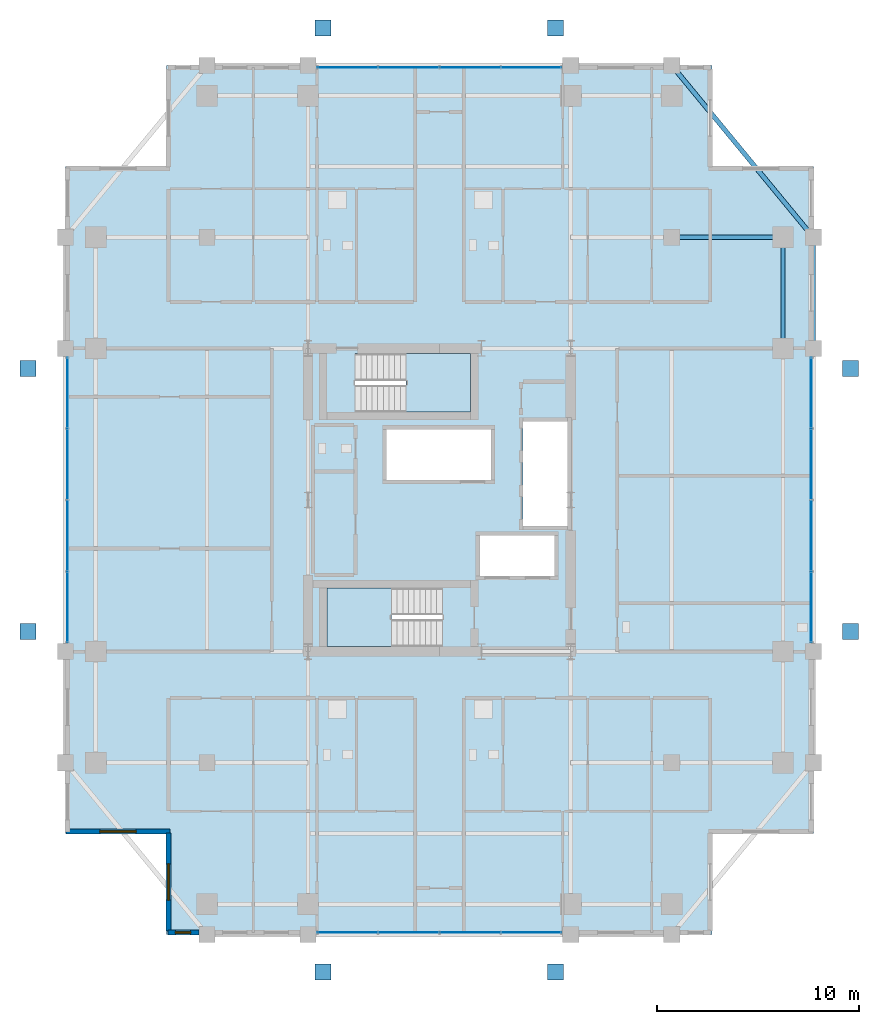
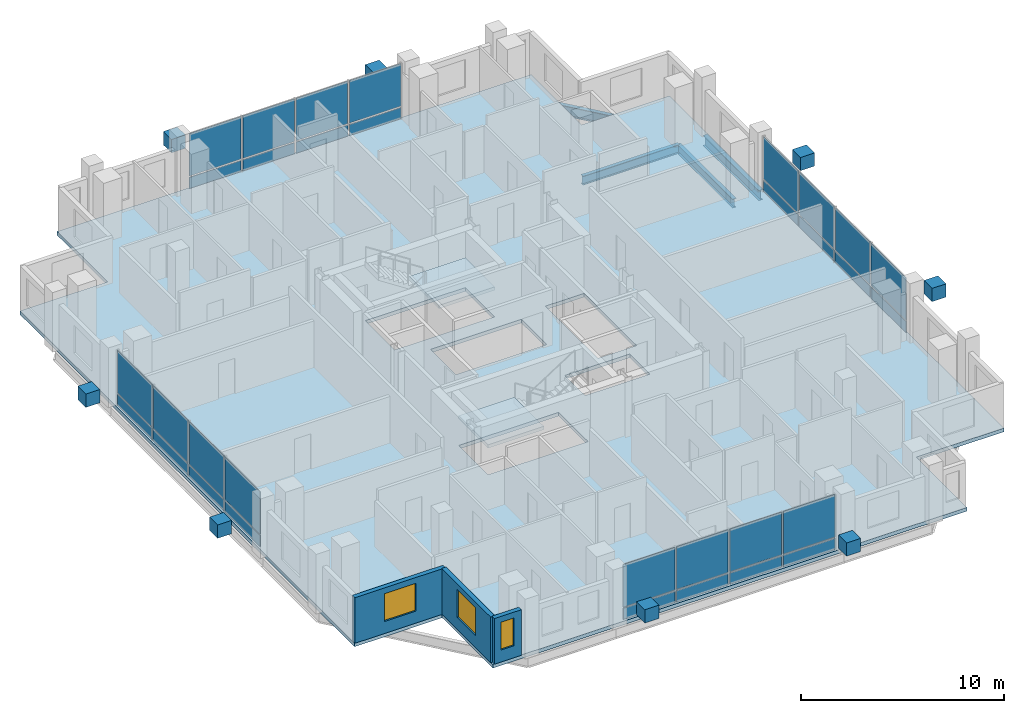
# One storey, part 17 of 24: 40 plates, 4 beams, 3 slabs, 3 walls, 3 windows, 3 openings, 6 elements without a shape of their own.
"""IFC4 building model written with IfcOpenShell, lengths in metres."""

from ifc_helpers import new_model, si_unit, direction, frame, frame_2d, origin, origin_2d, place, context, subcontext, project, spatial, polyline, rectangle, i_section, outline, extrude, material, layer, layer_set, material_profile, profile_set, type_object, element, fill, aggregate, save


model = new_model("IFC4")

# Units and contexts
model_context = context("Model", 3, precision=1e-05, world=origin(), true_north=direction((0.0, 1.0)))
body_context = subcontext(model_context, "Body", "Model", "MODEL_VIEW")
ifc_project = project(units=[si_unit("LENGTHUNIT", "METRE"), si_unit("AREAUNIT", "SQUARE_METRE"), si_unit("VOLUMEUNIT", "CUBIC_METRE"), si_unit("PLANEANGLEUNIT", "RADIAN"), si_unit("MASSUNIT", "GRAM", prefix="KILO")], contexts=[model_context])

# Site, building, storey
site_placement = place(None, origin())
site = spatial("IfcSite", under=ifc_project, at=site_placement, CompositionType="ELEMENT")
building_placement = place(site_placement, origin())
building = spatial("IfcBuilding", under=site, at=building_placement, Name="Barlavira Tower and Art Museum", CompositionType="ELEMENT")
storey_placement = place(building_placement, frame((0.0, 0.0, 201.60009765625)))
storey = spatial("IfcBuildingStorey", under=building, at=storey_placement, Name="L52", CompositionType="ELEMENT", Elevation=201.60009765625)

# Beams
ifc_material_1 = material(Name="Steel S355", Category="steel")
ifc_material_profile_1 = material_profile(ifc_material_1, i_section(OverallWidth=0.22998046875, OverallDepth=0.616943359375, WebThickness=0.01318359375, FlangeThickness=0.022216796875, at=origin_2d()), Name="W610x140.0")
ifc_profile_set_1 = profile_set([ifc_material_profile_1], Name="Steel S355")
beam_type_1 = type_object("IfcBeamType", Name="Upper Shaft Spandrel Edge Beam W610x140 Steel S355", PredefinedType="SPANDREL", material=ifc_profile_set_1)
beam_1_placement = place(storey_placement, frame((18.5, 7.5, -0.528564453125), z_axis=(0.0, 1.0, 0.0), x_axis=(-1.0, 0.0, 0.0)))
element("IfcBeam", 1, at=beam_1_placement, inside=storey, type_object=beam_type_1, Name="L52 Spandrel 7", PredefinedType="SPANDREL", context=body_context, shape_type="SweptSolid", body=[
    extrude(i_section(OverallWidth=0.22998046875, OverallDepth=0.616943359375, WebThickness=0.01318359375, FlangeThickness=0.022216796875, at=origin_2d()), origin(), (0.0, 0.0, 1.0), 5.5),
])
beam_2_placement = place(storey_placement, frame((18.5, 13.0, -0.528564453125), z_axis=(-0.635707252861, 0.771930235617, 0.0), x_axis=(-0.771930235617, -0.635707252861, 0.0)))
element("IfcBeam", 2, at=beam_2_placement, inside=storey, type_object=beam_type_1, Name="L52 Spandrel 8", PredefinedType="SPANDREL", context=body_context, shape_type="SweptSolid", body=[
    extrude(i_section(OverallWidth=0.22998046875, OverallDepth=0.616943359375, WebThickness=0.01318359375, FlangeThickness=0.022216796875, at=origin_2d()), origin(), (0.0, 0.0, 1.0), 11.011474609375),
])
ifc_material_profile_2 = material_profile(ifc_material_1, i_section(OverallWidth=0.2109375, OverallDepth=0.5390625, WebThickness=0.01171875, FlangeThickness=0.018798828125, at=origin_2d()), Name="W530x109.0")
ifc_profile_set_2 = profile_set([ifc_material_profile_2], Name="Steel S355")
beam_type_2 = type_object("IfcBeamType", Name="Zone 3-4 Primary Floor Girder W530x109 Steel S355", PredefinedType="BEAM", material=ifc_profile_set_2)
for number, where, z_axis, x_axis, name in (
    (3, (17.0, 7.5, -0.489501953125), (0.0, 1.0, 0.0), (-1.0, 0.0, 0.0), "L52 Girder M-E3"),
    (4, (11.5, 13.0, -0.489501953125), (1.0, 0.0, 0.0), (0.0, 1.0, 0.0), "L52 Girder I-N4"),
):
    element("IfcBeam", number, at=place(storey_placement, frame(where, z_axis=z_axis, x_axis=x_axis)), inside=storey, type_object=beam_type_2, Name=name, PredefinedType="BEAM", context=body_context, shape_type="SweptSolid", body=[
        extrude(i_section(OverallWidth=0.2109375, OverallDepth=0.5390625, WebThickness=0.01171875, FlangeThickness=0.018798828125, at=origin_2d()), origin(), (0.0, 0.0, 1.0), 5.5),
    ])

# Curtain wall, plates
ifc_material_2 = material(Name="Low-iron coastal laminated glass", Category="glass")
ifc_layer_1 = layer(ifc_material_2, 0.199951171875, Name="Low-iron coastal laminated glass")
ifc_layer_set_1 = layer_set([ifc_layer_1], Name="Low-iron coastal laminated glass")
curtain_wall_type = type_object("IfcCurtainWallType", Name="Pale-Metal Unitised Curtain Wall Zone 3", PredefinedType="NOTDEFINED", material=ifc_layer_set_1)
curtain_wall_1_placement = place(storey_placement, origin())
curtain_wall_1 = element("IfcCurtainWall", 5, at=curtain_wall_1_placement, inside=storey, type_object=curtain_wall_type, Name="L52 Curtain Wall CW3-L52-S-B3", PredefinedType="NOTDEFINED")
ifc_material_3 = material(Name="Pale anodised aluminium", Category="aluminium")
ifc_layer_2 = layer(ifc_material_3, 0.044921875, Name="Pale anodised aluminium")
ifc_layer_set_2 = layer_set([ifc_layer_2], Name="Pale anodised aluminium")
plate_type_1 = type_object("IfcPlateType", Name="Curtain Wall Pale-Metal Spandrel Panel 45", PredefinedType="CURTAIN_PANEL", material=ifc_layer_set_2)
plate_1_placement = place(storey_placement, frame((-4.56005859375, -21.39990234375, 0.039794921875), z_axis=(0.0, 0.0, 1.0), x_axis=(1.0, 0.0, 0.0)))
plate_1 = element("IfcPlate", 6, at=plate_1_placement, type_object=plate_type_1, Name="CW3-L52-S-B3 Spandrel Panel 0", PredefinedType="CURTAIN_PANEL", context=body_context, shape_type="SweptSolid", body=[
    extrude(rectangle(XDim=2.93994140625, YDim=0.044921875, at=origin_2d()), origin(), (0.0, 0.0, 1.0), 0.6640625),
])
plate_2_placement = place(storey_placement, frame((-1.52001953125, -21.39990234375, 0.039794921875), z_axis=(0.0, 0.0, 1.0), x_axis=(1.0, 0.0, 0.0)))
plate_2 = element("IfcPlate", 7, at=plate_2_placement, type_object=plate_type_1, Name="CW3-L52-S-B3 Spandrel Panel 1", PredefinedType="CURTAIN_PANEL", context=body_context, shape_type="SweptSolid", body=[
    extrude(rectangle(XDim=2.93994140625, YDim=0.044921875, at=origin_2d()), origin(), (0.0, 0.0, 1.0), 0.6640625),
])
plate_3_placement = place(storey_placement, frame((1.52001953125, -21.39990234375, 0.039794921875), z_axis=(0.0, 0.0, 1.0), x_axis=(1.0, 0.0, 0.0)))
plate_3 = element("IfcPlate", 8, at=plate_3_placement, type_object=plate_type_1, Name="CW3-L52-S-B3 Spandrel Panel 2", PredefinedType="CURTAIN_PANEL", context=body_context, shape_type="SweptSolid", body=[
    extrude(rectangle(XDim=2.93994140625, YDim=0.044921875, at=origin_2d()), origin(), (0.0, 0.0, 1.0), 0.6640625),
])
plate_4_placement = place(storey_placement, frame((4.56005859375, -21.39990234375, 0.039794921875), z_axis=(0.0, 0.0, 1.0), x_axis=(1.0, 0.0, 0.0)))
plate_4 = element("IfcPlate", 9, at=plate_4_placement, type_object=plate_type_1, Name="CW3-L52-S-B3 Spandrel Panel 3", PredefinedType="CURTAIN_PANEL", context=body_context, shape_type="SweptSolid", body=[
    extrude(rectangle(XDim=2.93994140625, YDim=0.044921875, at=origin_2d()), origin(), (0.0, 0.0, 1.0), 0.6640625),
])

curtain_wall_2_placement = place(storey_placement, origin())
curtain_wall_2 = element("IfcCurtainWall", 10, at=curtain_wall_2_placement, inside=storey, type_object=curtain_wall_type, Name="L52 Curtain Wall CW3-L52-N-B3", PredefinedType="NOTDEFINED")
plate_5_placement = place(storey_placement, frame((4.56005859375, 21.39990234375, 0.039794921875), z_axis=(0.0, 0.0, 1.0), x_axis=(-1.0, 0.0, 0.0)))
plate_5 = element("IfcPlate", 11, at=plate_5_placement, type_object=plate_type_1, Name="CW3-L52-N-B3 Spandrel Panel 0", PredefinedType="CURTAIN_PANEL", context=body_context, shape_type="SweptSolid", body=[
    extrude(rectangle(XDim=2.93994140625, YDim=0.044921875, at=origin_2d()), origin(), (0.0, 0.0, 1.0), 0.6640625),
])
plate_6_placement = place(storey_placement, frame((1.52001953125, 21.39990234375, 0.039794921875), z_axis=(0.0, 0.0, 1.0), x_axis=(-1.0, 0.0, 0.0)))
plate_6 = element("IfcPlate", 12, at=plate_6_placement, type_object=plate_type_1, Name="CW3-L52-N-B3 Spandrel Panel 1", PredefinedType="CURTAIN_PANEL", context=body_context, shape_type="SweptSolid", body=[
    extrude(rectangle(XDim=2.93994140625, YDim=0.044921875, at=origin_2d()), origin(), (0.0, 0.0, 1.0), 0.6640625),
])
plate_7_placement = place(storey_placement, frame((-1.52001953125, 21.39990234375, 0.039794921875), z_axis=(0.0, 0.0, 1.0), x_axis=(-1.0, 0.0, 0.0)))
plate_7 = element("IfcPlate", 13, at=plate_7_placement, type_object=plate_type_1, Name="CW3-L52-N-B3 Spandrel Panel 2", PredefinedType="CURTAIN_PANEL", context=body_context, shape_type="SweptSolid", body=[
    extrude(rectangle(XDim=2.93994140625, YDim=0.044921875, at=origin_2d()), origin(), (0.0, 0.0, 1.0), 0.6640625),
])
plate_8_placement = place(storey_placement, frame((-4.56005859375, 21.39990234375, 0.039794921875), z_axis=(0.0, 0.0, 1.0), x_axis=(-1.0, 0.0, 0.0)))
plate_8 = element("IfcPlate", 14, at=plate_8_placement, type_object=plate_type_1, Name="CW3-L52-N-B3 Spandrel Panel 3", PredefinedType="CURTAIN_PANEL", context=body_context, shape_type="SweptSolid", body=[
    extrude(rectangle(XDim=2.93994140625, YDim=0.044921875, at=origin_2d()), origin(), (0.0, 0.0, 1.0), 0.6640625),
])

curtain_wall_3_placement = place(storey_placement, origin())
curtain_wall_3 = element("IfcCurtainWall", 15, at=curtain_wall_3_placement, inside=storey, type_object=curtain_wall_type, Name="L52 Curtain Wall CW3-L52-W-B3", PredefinedType="NOTDEFINED")
plate_9_placement = place(storey_placement, frame((-18.39990234375, 5.31005859375, 0.039794921875), z_axis=(0.0, 0.0, 1.0), x_axis=(0.0, -1.0, 0.0)))
plate_9 = element("IfcPlate", 16, at=plate_9_placement, type_object=plate_type_1, Name="CW3-L52-W-B3 Spandrel Panel 0", PredefinedType="CURTAIN_PANEL", context=body_context, shape_type="SweptSolid", body=[
    extrude(rectangle(XDim=3.43994140625, YDim=0.044921875, at=origin_2d()), origin(), (0.0, 0.0, 1.0), 0.6640625),
])
plate_10_placement = place(storey_placement, frame((-18.39990234375, 1.77001953125, 0.039794921875), z_axis=(0.0, 0.0, 1.0), x_axis=(0.0, -1.0, 0.0)))
plate_10 = element("IfcPlate", 17, at=plate_10_placement, type_object=plate_type_1, Name="CW3-L52-W-B3 Spandrel Panel 1", PredefinedType="CURTAIN_PANEL", context=body_context, shape_type="SweptSolid", body=[
    extrude(rectangle(XDim=3.43994140625, YDim=0.044921875, at=origin_2d()), origin(), (0.0, 0.0, 1.0), 0.6640625),
])
plate_11_placement = place(storey_placement, frame((-18.39990234375, -1.77001953125, 0.039794921875), z_axis=(0.0, 0.0, 1.0), x_axis=(0.0, -1.0, 0.0)))
plate_11 = element("IfcPlate", 18, at=plate_11_placement, type_object=plate_type_1, Name="CW3-L52-W-B3 Spandrel Panel 2", PredefinedType="CURTAIN_PANEL", context=body_context, shape_type="SweptSolid", body=[
    extrude(rectangle(XDim=3.43994140625, YDim=0.044921875, at=origin_2d()), origin(), (0.0, 0.0, 1.0), 0.6640625),
])
plate_12_placement = place(storey_placement, frame((-18.39990234375, -5.31005859375, 0.039794921875), z_axis=(0.0, 0.0, 1.0), x_axis=(0.0, -1.0, 0.0)))
plate_12 = element("IfcPlate", 19, at=plate_12_placement, type_object=plate_type_1, Name="CW3-L52-W-B3 Spandrel Panel 3", PredefinedType="CURTAIN_PANEL", context=body_context, shape_type="SweptSolid", body=[
    extrude(rectangle(XDim=3.43994140625, YDim=0.044921875, at=origin_2d()), origin(), (0.0, 0.0, 1.0), 0.6640625),
])

curtain_wall_4_placement = place(storey_placement, origin())
curtain_wall_4 = element("IfcCurtainWall", 20, at=curtain_wall_4_placement, inside=storey, type_object=curtain_wall_type, Name="L52 Curtain Wall CW3-L52-E-B3", PredefinedType="NOTDEFINED")
plate_13_placement = place(storey_placement, frame((18.39990234375, -5.31005859375, 0.039794921875), z_axis=(0.0, 0.0, 1.0), x_axis=(0.0, 1.0, 0.0)))
plate_13 = element("IfcPlate", 21, at=plate_13_placement, type_object=plate_type_1, Name="CW3-L52-E-B3 Spandrel Panel 0", PredefinedType="CURTAIN_PANEL", context=body_context, shape_type="SweptSolid", body=[
    extrude(rectangle(XDim=3.43994140625, YDim=0.044921875, at=origin_2d()), origin(), (0.0, 0.0, 1.0), 0.6640625),
])
plate_14_placement = place(storey_placement, frame((18.39990234375, -1.77001953125, 0.039794921875), z_axis=(0.0, 0.0, 1.0), x_axis=(0.0, 1.0, 0.0)))
plate_14 = element("IfcPlate", 22, at=plate_14_placement, type_object=plate_type_1, Name="CW3-L52-E-B3 Spandrel Panel 1", PredefinedType="CURTAIN_PANEL", context=body_context, shape_type="SweptSolid", body=[
    extrude(rectangle(XDim=3.43994140625, YDim=0.044921875, at=origin_2d()), origin(), (0.0, 0.0, 1.0), 0.6640625),
])
plate_15_placement = place(storey_placement, frame((18.39990234375, 1.77001953125, 0.039794921875), z_axis=(0.0, 0.0, 1.0), x_axis=(0.0, 1.0, 0.0)))
plate_15 = element("IfcPlate", 23, at=plate_15_placement, type_object=plate_type_1, Name="CW3-L52-E-B3 Spandrel Panel 2", PredefinedType="CURTAIN_PANEL", context=body_context, shape_type="SweptSolid", body=[
    extrude(rectangle(XDim=3.43994140625, YDim=0.044921875, at=origin_2d()), origin(), (0.0, 0.0, 1.0), 0.6640625),
])
plate_16_placement = place(storey_placement, frame((18.39990234375, 5.31005859375, 0.039794921875), z_axis=(0.0, 0.0, 1.0), x_axis=(0.0, 1.0, 0.0)))
plate_16 = element("IfcPlate", 24, at=plate_16_placement, type_object=plate_type_1, Name="CW3-L52-E-B3 Spandrel Panel 3", PredefinedType="CURTAIN_PANEL", context=body_context, shape_type="SweptSolid", body=[
    extrude(rectangle(XDim=3.43994140625, YDim=0.044921875, at=origin_2d()), origin(), (0.0, 0.0, 1.0), 0.6640625),
])

# Plate
ifc_layer_3 = layer(ifc_material_2, 0.028076171875, Name="Low-iron coastal laminated glass")
ifc_layer_set_3 = layer_set([ifc_layer_3], Name="Low-iron coastal laminated glass")
plate_type_2 = type_object("IfcPlateType", Name="Curtain Wall Vision Glazing Panel 28", PredefinedType="CURTAIN_PANEL", material=ifc_layer_set_3)
plate_17_placement = place(storey_placement, frame((-4.56005859375, -21.39990234375, 0.7841796875), z_axis=(0.0, 0.0, 1.0), x_axis=(1.0, 0.0, 0.0)))
plate_17 = element("IfcPlate", 25, at=plate_17_placement, type_object=plate_type_2, Name="CW3-L52-S-B3 Vision Glass Panel 0", PredefinedType="CURTAIN_PANEL", context=body_context, shape_type="SweptSolid", body=[
    extrude(rectangle(XDim=2.93994140625, YDim=0.028076171875, at=origin_2d()), origin(), (0.0, 0.0, 1.0), 2.555908203125),
])

plate_18_placement = place(storey_placement, frame((-1.52001953125, -21.39990234375, 0.7841796875), z_axis=(0.0, 0.0, 1.0), x_axis=(1.0, 0.0, 0.0)))
plate_18 = element("IfcPlate", 26, at=plate_18_placement, type_object=plate_type_2, Name="CW3-L52-S-B3 Vision Glass Panel 1", PredefinedType="CURTAIN_PANEL", context=body_context, shape_type="SweptSolid", body=[
    extrude(rectangle(XDim=2.93994140625, YDim=0.028076171875, at=origin_2d()), origin(), (0.0, 0.0, 1.0), 2.555908203125),
])

plate_19_placement = place(storey_placement, frame((1.52001953125, -21.39990234375, 0.7841796875), z_axis=(0.0, 0.0, 1.0), x_axis=(1.0, 0.0, 0.0)))
plate_19 = element("IfcPlate", 27, at=plate_19_placement, type_object=plate_type_2, Name="CW3-L52-S-B3 Vision Glass Panel 2", PredefinedType="CURTAIN_PANEL", context=body_context, shape_type="SweptSolid", body=[
    extrude(rectangle(XDim=2.93994140625, YDim=0.028076171875, at=origin_2d()), origin(), (0.0, 0.0, 1.0), 2.555908203125),
])

plate_20_placement = place(storey_placement, frame((4.56005859375, -21.39990234375, 0.7841796875), z_axis=(0.0, 0.0, 1.0), x_axis=(1.0, 0.0, 0.0)))
plate_20 = element("IfcPlate", 28, at=plate_20_placement, type_object=plate_type_2, Name="CW3-L52-S-B3 Vision Glass Panel 3", PredefinedType="CURTAIN_PANEL", context=body_context, shape_type="SweptSolid", body=[
    extrude(rectangle(XDim=2.93994140625, YDim=0.028076171875, at=origin_2d()), origin(), (0.0, 0.0, 1.0), 2.555908203125),
])

aggregate(curtain_wall_1, [plate_1, plate_17, plate_2, plate_18, plate_3, plate_19, plate_4, plate_20])

plate_21_placement = place(storey_placement, frame((4.56005859375, 21.39990234375, 0.7841796875), z_axis=(0.0, 0.0, 1.0), x_axis=(-1.0, 0.0, 0.0)))
plate_21 = element("IfcPlate", 29, at=plate_21_placement, type_object=plate_type_2, Name="CW3-L52-N-B3 Vision Glass Panel 0", PredefinedType="CURTAIN_PANEL", context=body_context, shape_type="SweptSolid", body=[
    extrude(rectangle(XDim=2.93994140625, YDim=0.028076171875, at=origin_2d()), origin(), (0.0, 0.0, 1.0), 2.555908203125),
])

plate_22_placement = place(storey_placement, frame((1.52001953125, 21.39990234375, 0.7841796875), z_axis=(0.0, 0.0, 1.0), x_axis=(-1.0, 0.0, 0.0)))
plate_22 = element("IfcPlate", 30, at=plate_22_placement, type_object=plate_type_2, Name="CW3-L52-N-B3 Vision Glass Panel 1", PredefinedType="CURTAIN_PANEL", context=body_context, shape_type="SweptSolid", body=[
    extrude(rectangle(XDim=2.93994140625, YDim=0.028076171875, at=origin_2d()), origin(), (0.0, 0.0, 1.0), 2.555908203125),
])

plate_23_placement = place(storey_placement, frame((-1.52001953125, 21.39990234375, 0.7841796875), z_axis=(0.0, 0.0, 1.0), x_axis=(-1.0, 0.0, 0.0)))
plate_23 = element("IfcPlate", 31, at=plate_23_placement, type_object=plate_type_2, Name="CW3-L52-N-B3 Vision Glass Panel 2", PredefinedType="CURTAIN_PANEL", context=body_context, shape_type="SweptSolid", body=[
    extrude(rectangle(XDim=2.93994140625, YDim=0.028076171875, at=origin_2d()), origin(), (0.0, 0.0, 1.0), 2.555908203125),
])

plate_24_placement = place(storey_placement, frame((-4.56005859375, 21.39990234375, 0.7841796875), z_axis=(0.0, 0.0, 1.0), x_axis=(-1.0, 0.0, 0.0)))
plate_24 = element("IfcPlate", 32, at=plate_24_placement, type_object=plate_type_2, Name="CW3-L52-N-B3 Vision Glass Panel 3", PredefinedType="CURTAIN_PANEL", context=body_context, shape_type="SweptSolid", body=[
    extrude(rectangle(XDim=2.93994140625, YDim=0.028076171875, at=origin_2d()), origin(), (0.0, 0.0, 1.0), 2.555908203125),
])

aggregate(curtain_wall_2, [plate_5, plate_21, plate_6, plate_22, plate_7, plate_23, plate_8, plate_24])

plate_25_placement = place(storey_placement, frame((-18.39990234375, 5.31005859375, 0.7841796875), z_axis=(0.0, 0.0, 1.0), x_axis=(0.0, -1.0, 0.0)))
plate_25 = element("IfcPlate", 33, at=plate_25_placement, type_object=plate_type_2, Name="CW3-L52-W-B3 Vision Glass Panel 0", PredefinedType="CURTAIN_PANEL", context=body_context, shape_type="SweptSolid", body=[
    extrude(rectangle(XDim=3.43994140625, YDim=0.028076171875, at=origin_2d()), origin(), (0.0, 0.0, 1.0), 2.555908203125),
])

plate_26_placement = place(storey_placement, frame((-18.39990234375, 1.77001953125, 0.7841796875), z_axis=(0.0, 0.0, 1.0), x_axis=(0.0, -1.0, 0.0)))
plate_26 = element("IfcPlate", 34, at=plate_26_placement, type_object=plate_type_2, Name="CW3-L52-W-B3 Vision Glass Panel 1", PredefinedType="CURTAIN_PANEL", context=body_context, shape_type="SweptSolid", body=[
    extrude(rectangle(XDim=3.43994140625, YDim=0.028076171875, at=origin_2d()), origin(), (0.0, 0.0, 1.0), 2.555908203125),
])

plate_27_placement = place(storey_placement, frame((-18.39990234375, -1.77001953125, 0.7841796875), z_axis=(0.0, 0.0, 1.0), x_axis=(0.0, -1.0, 0.0)))
plate_27 = element("IfcPlate", 35, at=plate_27_placement, type_object=plate_type_2, Name="CW3-L52-W-B3 Vision Glass Panel 2", PredefinedType="CURTAIN_PANEL", context=body_context, shape_type="SweptSolid", body=[
    extrude(rectangle(XDim=3.43994140625, YDim=0.028076171875, at=origin_2d()), origin(), (0.0, 0.0, 1.0), 2.555908203125),
])

plate_28_placement = place(storey_placement, frame((-18.39990234375, -5.31005859375, 0.7841796875), z_axis=(0.0, 0.0, 1.0), x_axis=(0.0, -1.0, 0.0)))
plate_28 = element("IfcPlate", 36, at=plate_28_placement, type_object=plate_type_2, Name="CW3-L52-W-B3 Vision Glass Panel 3", PredefinedType="CURTAIN_PANEL", context=body_context, shape_type="SweptSolid", body=[
    extrude(rectangle(XDim=3.43994140625, YDim=0.028076171875, at=origin_2d()), origin(), (0.0, 0.0, 1.0), 2.555908203125),
])

aggregate(curtain_wall_3, [plate_9, plate_25, plate_10, plate_26, plate_11, plate_27, plate_12, plate_28])

plate_29_placement = place(storey_placement, frame((18.39990234375, -5.31005859375, 0.7841796875), z_axis=(0.0, 0.0, 1.0), x_axis=(0.0, 1.0, 0.0)))
plate_29 = element("IfcPlate", 37, at=plate_29_placement, type_object=plate_type_2, Name="CW3-L52-E-B3 Vision Glass Panel 0", PredefinedType="CURTAIN_PANEL", context=body_context, shape_type="SweptSolid", body=[
    extrude(rectangle(XDim=3.43994140625, YDim=0.028076171875, at=origin_2d()), origin(), (0.0, 0.0, 1.0), 2.555908203125),
])

plate_30_placement = place(storey_placement, frame((18.39990234375, -1.77001953125, 0.7841796875), z_axis=(0.0, 0.0, 1.0), x_axis=(0.0, 1.0, 0.0)))
plate_30 = element("IfcPlate", 38, at=plate_30_placement, type_object=plate_type_2, Name="CW3-L52-E-B3 Vision Glass Panel 1", PredefinedType="CURTAIN_PANEL", context=body_context, shape_type="SweptSolid", body=[
    extrude(rectangle(XDim=3.43994140625, YDim=0.028076171875, at=origin_2d()), origin(), (0.0, 0.0, 1.0), 2.555908203125),
])

plate_31_placement = place(storey_placement, frame((18.39990234375, 1.77001953125, 0.7841796875), z_axis=(0.0, 0.0, 1.0), x_axis=(0.0, 1.0, 0.0)))
plate_31 = element("IfcPlate", 39, at=plate_31_placement, type_object=plate_type_2, Name="CW3-L52-E-B3 Vision Glass Panel 2", PredefinedType="CURTAIN_PANEL", context=body_context, shape_type="SweptSolid", body=[
    extrude(rectangle(XDim=3.43994140625, YDim=0.028076171875, at=origin_2d()), origin(), (0.0, 0.0, 1.0), 2.555908203125),
])

plate_32_placement = place(storey_placement, frame((18.39990234375, 5.31005859375, 0.7841796875), z_axis=(0.0, 0.0, 1.0), x_axis=(0.0, 1.0, 0.0)))
plate_32 = element("IfcPlate", 40, at=plate_32_placement, type_object=plate_type_2, Name="CW3-L52-E-B3 Vision Glass Panel 3", PredefinedType="CURTAIN_PANEL", context=body_context, shape_type="SweptSolid", body=[
    extrude(rectangle(XDim=3.43994140625, YDim=0.028076171875, at=origin_2d()), origin(), (0.0, 0.0, 1.0), 2.555908203125),
])

aggregate(curtain_wall_4, [plate_13, plate_29, plate_14, plate_30, plate_15, plate_31, plate_16, plate_32])

# Plates
ifc_layer_4 = layer(ifc_material_1, 0.800048828125, Name="Steel S355")
ifc_layer_set_4 = layer_set([ifc_layer_4], Name="Steel S355")
plate_type_3 = type_object("IfcPlateType", Name="Exoskeleton Solid Steel Node Cap Plate Assembly Type 3 Steel S355", PredefinedType="USERDEFINED", material=ifc_layer_set_4)
for number, where, z_axis, x_axis, name in (
    (41, (-5.75, -23.35009765625, 1.27978515625), (0.0, 0.0, 1.0), (1.0, 0.0, 0.0), "Exoskeleton Diamond Node S1 ND-L52-0552"),
    (42, (5.75, -23.35009765625, 1.27978515625), (0.0, 0.0, 1.0), (1.0, 0.0, 0.0), "Exoskeleton Diamond Node S2 ND-L52-0553"),
    (43, (-5.75, 23.35009765625, 1.27978515625), (0.0, 0.0, 1.0), (1.0, 0.0, 0.0), "Exoskeleton Diamond Node N1 ND-L52-0560"),
    (44, (5.75, 23.35009765625, 1.27978515625), (0.0, 0.0, 1.0), (1.0, 0.0, 0.0), "Exoskeleton Diamond Node N2 ND-L52-0561"),
    (45, (-20.35009765625, -6.5, 1.27978515625), (0.0, 0.0, 1.0), (1.0, 0.0, 0.0), "Exoskeleton Diamond Node W1 ND-L52-0568"),
    (46, (-20.35009765625, 6.5, 1.27978515625), (0.0, 0.0, 1.0), (1.0, 0.0, 0.0), "Exoskeleton Diamond Node W2 ND-L52-0569"),
    (47, (20.35009765625, -6.5, 1.27978515625), (0.0, 0.0, 1.0), (1.0, 0.0, 0.0), "Exoskeleton Diamond Node E1 ND-L52-0576"),
    (48, (20.35009765625, 6.5, 1.27978515625), (0.0, 0.0, 1.0), (1.0, 0.0, 0.0), "Exoskeleton Diamond Node E2 ND-L52-0577"),
):
    element("IfcPlate", number, at=place(storey_placement, frame(where, z_axis=z_axis, x_axis=x_axis)), inside=storey, type_object=plate_type_3, Name=name, ObjectType="FLANGE_PLATE", PredefinedType="USERDEFINED", context=body_context, shape_type="SweptSolid", body=[
        extrude(rectangle(XDim=0.800048828125, YDim=0.800048828125, at=origin_2d()), origin(), (0.0, 0.0, 1.0), 0.800048828125),
    ])

# Stair, slab
ifc_material_4 = material(Name="Concrete C45", Category="concrete")
stair_type_1 = type_object("IfcStairType", Name="Tower North Dog-Leg Exit Stair Assembly Concrete C45", PredefinedType="TWO_QUARTER_TURN_STAIR", material=ifc_material_4)
stair_1_placement = place(storey_placement, origin())
stair_1 = element("IfcStair", 49, at=stair_1_placement, inside=storey, type_object=stair_type_1, Name="L52 Tower North Exit Stair ST-T2", PredefinedType="TWO_QUARTER_TURN_STAIR")
ifc_layer_5 = layer(ifc_material_4, 0.199951171875, Name="Concrete C45")
ifc_layer_set_5 = layer_set([ifc_layer_5], Name="Concrete C45")
slab_type_1 = type_object("IfcSlabType", Name="Tower North Dog-Leg Exit Stair Half-Landing Slab 200 Concrete C45", PredefinedType="LANDING", material=ifc_layer_set_5)
slab_1_placement = place(storey_placement, frame((0.0, 0.0, 1.599853515625)))
slab_1 = element("IfcSlab", 50, at=slab_1_placement, type_object=slab_type_1, Name="ST-T2 landing 1", PredefinedType="LANDING", context=body_context, shape_type="SweptSolid", body=[
    extrude(outline(polyline([(-1.64990234375, 4.35009765625), (1.530029296875, 4.35009765625), (1.530029296875, 7.25), (-1.64990234375, 7.25), (-1.64990234375, 4.35009765625)])), origin(), (0.0, 0.0, 1.0), 0.199951171875),
])
aggregate(stair_1, [slab_1])

stair_type_2 = type_object("IfcStairType", Name="Tower South Dog-Leg Exit Stair Assembly Concrete C45", PredefinedType="TWO_QUARTER_TURN_STAIR", material=ifc_material_4)
stair_2_placement = place(storey_placement, origin())
stair_2 = element("IfcStair", 51, at=stair_2_placement, inside=storey, type_object=stair_type_2, Name="L52 Tower South Exit Stair ST-T1", PredefinedType="TWO_QUARTER_TURN_STAIR")
ifc_layer_6 = layer(ifc_material_4, 0.199951171875, Name="Concrete C45")
ifc_layer_set_6 = layer_set([ifc_layer_6], Name="Concrete C45")
slab_type_2 = type_object("IfcSlabType", Name="Tower South Dog-Leg Exit Stair Half-Landing Slab 200 Concrete C45", PredefinedType="LANDING", material=ifc_layer_set_6)
slab_2_placement = place(storey_placement, frame((0.0, 0.0, 1.599853515625)))
slab_2 = element("IfcSlab", 52, at=slab_2_placement, type_object=slab_type_2, Name="ST-T1 landing 1", PredefinedType="LANDING", context=body_context, shape_type="SweptSolid", body=[
    extrude(outline(polyline([(-2.3701171875, -4.35009765625), (-5.550048828125, -4.35009765625), (-5.550048828125, -7.25), (-2.3701171875, -7.25), (-2.3701171875, -4.35009765625)])), origin(), (0.0, 0.0, 1.0), 0.199951171875),
])
aggregate(stair_2, [slab_2])

# Slab
ifc_material_5 = material(Name="Concrete C50", Category="concrete")
ifc_layer_7 = layer(ifc_material_5, 0.199951171875, Name="Concrete C50")
ifc_layer_set_7 = layer_set([ifc_layer_7], Name="Concrete C50")
slab_type_3 = type_object("IfcSlabType", Name="Zone 3 Residential Composite Slab 200 Concrete C50", PredefinedType="FLOOR", material=ifc_layer_set_7)
slab_3_placement = place(storey_placement, frame((0.0, 0.0, -0.22021484375)))
element("IfcSlab", 53, at=slab_3_placement, inside=storey, type_object=slab_type_3, Name="L52 Tower Floor Slab", PredefinedType="FLOOR", context=body_context, shape_type="SweptSolid", body=[
    extrude(outline(polyline([(-13.5, -21.5), (13.5, -21.5), (13.5, -16.5), (18.5, -16.5), (18.5, 16.5), (13.5, 16.5), (13.5, 21.5), (-13.5, 21.5), (-13.5, 16.5), (-18.5, 16.5), (-18.5, -16.5), (-13.5, -16.5), (-13.5, -21.5)]), holes=[polyline([(0.14990234375, -4.35009765625), (-5.550048828125, -4.35009765625), (-5.550048828125, -7.25), (0.14990234375, -7.25), (0.14990234375, -4.35009765625)]), polyline([(-4.169921875, 4.35009765625), (1.530029296875, 4.35009765625), (1.530029296875, 7.25), (-4.169921875, 7.25), (-4.169921875, 4.35009765625)]), polyline([(4.14990234375, -1.2900390625), (6.35009765625, -1.2900390625), (6.35009765625, 3.889892578125), (4.14990234375, 3.889892578125), (4.14990234375, -1.2900390625)]), polyline([(-2.6201171875, 1.0), (2.56005859375, 1.0), (2.56005859375, 3.5), (-2.6201171875, 3.5), (-2.6201171875, 1.0)]), polyline([(2.0, -3.75), (5.699951171875, -3.75), (5.699951171875, -1.75), (2.0, -1.75), (2.0, -3.75)])]), origin(), (0.0, 0.0, 1.0), 0.22021484375),
])

# Wall, opening, window
ifc_material_6 = material(Name="Precast concrete C40", Category="concrete")
ifc_layer_8 = layer(ifc_material_6, 0.25, Name="Precast concrete C40")
ifc_layer_set_8 = layer_set([ifc_layer_8], Name="Precast concrete C40")
wall_type = type_object("IfcWallType", Name="Notched Corner Spandrel Wall 250 Precast Concrete C40", PredefinedType="SOLIDWALL", material=ifc_layer_set_8)
wall_1_placement = place(storey_placement, frame((-13.425048828125, -21.39990234375, 0.0), z_axis=(0.0, 0.0, 1.0), x_axis=(1.0, 0.0, 0.0)))
wall_1 = element("IfcWall", 54, at=wall_1_placement, inside=storey, type_object=wall_type, Name="L52 Coastal Facade Pier Wall CW3-L52-S-1", PredefinedType="SOLIDWALL", context=body_context, shape_type="SweptSolid", body=[
    extrude(rectangle(XDim=1.530029296875, YDim=0.25, at=frame_2d((0.76513671875, 0.0))), origin(), (0.0, 0.0, 1.0), 2.747802734375),
])
opening_1_placement = place(wall_1_placement, frame((0.363037109375, 0.0, 0.719970703125)))
opening_1 = element("IfcOpeningElement", 55, at=opening_1_placement, cuts=wall_1, Name="Opening WN-06", PredefinedType="OPENING", context=body_context, shape_type="SweptSolid", body=[
    extrude(rectangle(XDim=0.760009765625, YDim=1.679931640625, at=frame_2d((0.3798828125, 0.83984375))), frame((0.0, 0.135009765625, 0.0), z_axis=(0.0, -1.0, 0.0), x_axis=(1.0, 0.0, 0.0)), (0.0, 0.0, 1.0), 0.27001953125),
])
window_type_1 = type_object("IfcWindowType", Name="Recessed Narrow Pier Window 760x1680", PartitioningType="SINGLE_PANEL", PredefinedType="WINDOW", material=ifc_material_2)
window_1_placement = place(opening_1_placement, origin())
window_1 = element("IfcWindow", 56, at=window_1_placement, inside=storey, type_object=window_type_1, Name="L52 Punched Facade Window EWP-CW3-L52-S-1-1", OverallHeight=1.679931640625, OverallWidth=0.760009765625, PartitioningType="SINGLE_PANEL", PredefinedType="WINDOW", context=body_context, shape_type="SweptSolid", body=[
    extrude(rectangle(XDim=0.760009765625, YDim=1.679931640625, at=frame_2d((0.3798828125, 0.83984375))), frame((0.0, 0.030029296875, 0.0), z_axis=(0.0, -1.0, 0.0), x_axis=(1.0, 0.0, 0.0)), (0.0, 0.0, 1.0), 0.06005859375),
])
fill(opening_1, window_1)

wall_2_placement = place(storey_placement, frame((-18.47998046875, -16.39990234375, 0.0), z_axis=(0.0, 0.0, 1.0), x_axis=(1.0, 0.0, 0.0)))
wall_2 = element("IfcWall", 57, at=wall_2_placement, inside=storey, type_object=wall_type, Name="L52 Notch Corner Wall SW1", PredefinedType="SOLIDWALL", context=body_context, shape_type="SweptSolid", body=[
    extrude(rectangle(XDim=5.159912109375, YDim=0.25, at=frame_2d((2.580078125, 0.0))), origin(), (0.0, 0.0, 1.0), 2.747802734375),
])
opening_2_placement = place(wall_2_placement, frame((1.679931640625, 0.0, 0.719970703125)))
opening_2 = element("IfcOpeningElement", 58, at=opening_2_placement, cuts=wall_2, Name="Opening WN-01", PredefinedType="OPENING", context=body_context, shape_type="SweptSolid", body=[
    extrude(rectangle(XDim=1.800048828125, YDim=1.679931640625, at=frame_2d((0.89990234375, 0.83984375))), frame((0.0, 0.135009765625, 0.0), z_axis=(0.0, -1.0, 0.0), x_axis=(1.0, 0.0, 0.0)), (0.0, 0.0, 1.0), 0.27001953125),
])
window_type_2 = type_object("IfcWindowType", Name="Recessed Notch Corner Punch Window 1800x1680", PartitioningType="SINGLE_PANEL", PredefinedType="WINDOW", material=ifc_material_2)
window_2_placement = place(opening_2_placement, origin())
window_2 = element("IfcWindow", 59, at=window_2_placement, inside=storey, type_object=window_type_2, Name="L52 Punched Facade Window EW-NTC-L52-SW1-1", OverallHeight=1.679931640625, OverallWidth=1.800048828125, PartitioningType="SINGLE_PANEL", PredefinedType="WINDOW", context=body_context, shape_type="SweptSolid", body=[
    extrude(rectangle(XDim=1.800048828125, YDim=1.679931640625, at=frame_2d((0.89990234375, 0.83984375))), frame((0.0, 0.030029296875, 0.0), z_axis=(0.0, -1.0, 0.0), x_axis=(1.0, 0.0, 0.0)), (0.0, 0.0, 1.0), 0.06005859375),
])
fill(opening_2, window_2)

wall_3_placement = place(storey_placement, frame((-13.39990234375, -16.47998046875, 0.0), z_axis=(0.0, 0.0, 1.0), x_axis=(0.0, -1.0, 0.0)))
wall_3 = element("IfcWall", 60, at=wall_3_placement, inside=storey, type_object=wall_type, Name="L52 Notch Corner Wall SW2", PredefinedType="SOLIDWALL", context=body_context, shape_type="SweptSolid", body=[
    extrude(rectangle(XDim=4.840087890625, YDim=0.25, at=frame_2d((2.419921875, 0.0))), origin(), (0.0, 0.0, 1.0), 2.747802734375),
])
opening_3_placement = place(wall_3_placement, frame((1.52001953125, 0.0, 0.719970703125)))
opening_3 = element("IfcOpeningElement", 61, at=opening_3_placement, cuts=wall_3, Name="Opening WN-01", PredefinedType="OPENING", context=body_context, shape_type="SweptSolid", body=[
    extrude(rectangle(XDim=1.800048828125, YDim=1.679931640625, at=frame_2d((0.89990234375, 0.83984375))), frame((0.0, 0.135009765625, 0.0), z_axis=(0.0, -1.0, 0.0), x_axis=(1.0, 0.0, 0.0)), (0.0, 0.0, 1.0), 0.27001953125),
])
window_3_placement = place(opening_3_placement, origin())
window_3 = element("IfcWindow", 62, at=window_3_placement, inside=storey, type_object=window_type_2, Name="L52 Punched Facade Window EW-NTC-L52-SW2-1", OverallHeight=1.679931640625, OverallWidth=1.800048828125, PartitioningType="SINGLE_PANEL", PredefinedType="WINDOW", context=body_context, shape_type="SweptSolid", body=[
    extrude(rectangle(XDim=1.800048828125, YDim=1.679931640625, at=frame_2d((0.89990234375, 0.83984375))), frame((0.0, 0.030029296875, 0.0), z_axis=(0.0, -1.0, 0.0), x_axis=(1.0, 0.0, 0.0)), (0.0, 0.0, 1.0), 0.06005859375),
])
fill(opening_3, window_3)

save(model, "model.ifc")
